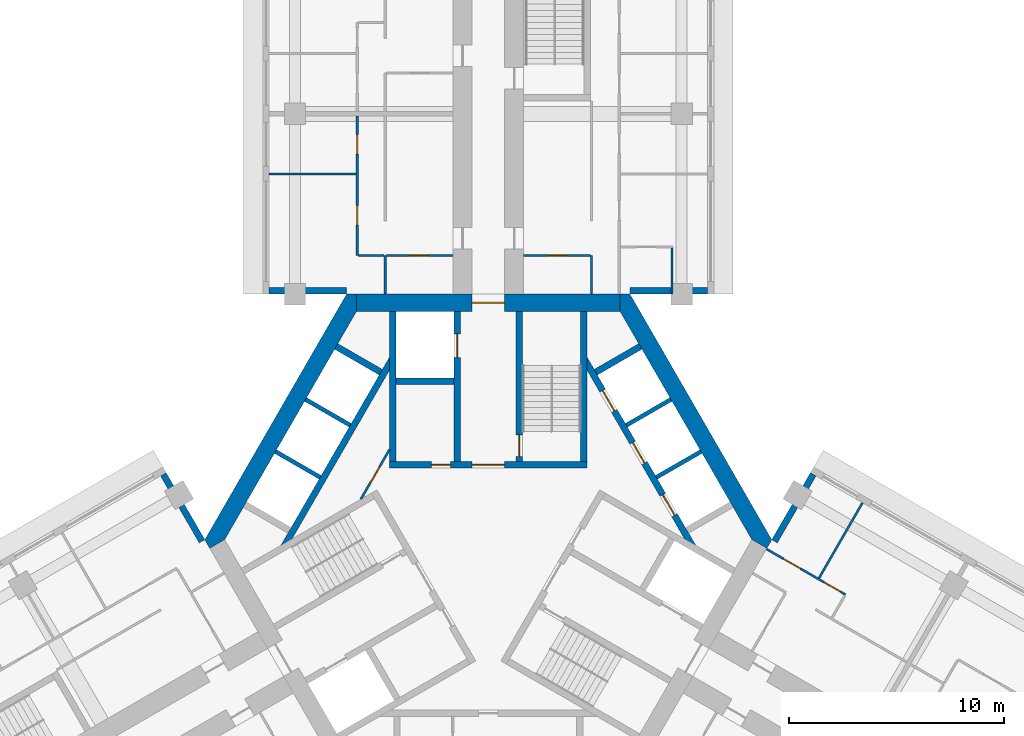
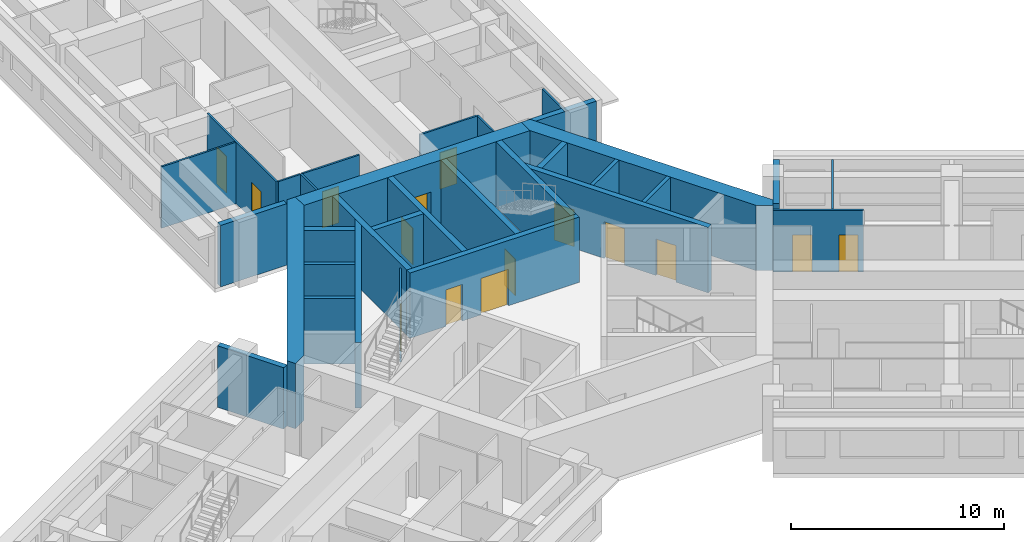
# One storey, part 8 of 14: 32 walls, 15 doors, 15 openings.
"""IFC4 building model written with IfcOpenShell, lengths in metres."""

from ifc_helpers import new_model, si_unit, direction, frame, frame_2d, origin, place, context, subcontext, project, spatial, polyline, rectangle, outline, extrude, material, layer, layer_set, type_object, element, fill, save


model = new_model("IFC4")

# Units and contexts
model_context = context("Model", 3, precision=1e-05, world=origin(), true_north=direction((0.0, 1.0)))
body_context = subcontext(model_context, "Body", "Model", "MODEL_VIEW")
ifc_project = project(units=[si_unit("LENGTHUNIT", "METRE"), si_unit("AREAUNIT", "SQUARE_METRE"), si_unit("VOLUMEUNIT", "CUBIC_METRE"), si_unit("PLANEANGLEUNIT", "RADIAN"), si_unit("MASSUNIT", "GRAM", prefix="KILO")], contexts=[model_context])

# Site, building, storey
site_placement = place(None, origin())
site = spatial("IfcSite", under=ifc_project, at=site_placement, CompositionType="ELEMENT")
building_placement = place(site_placement, origin())
building = spatial("IfcBuilding", under=site, at=building_placement, Name="Impinga Residences", CompositionType="ELEMENT")
storey_placement = place(building_placement, frame((0.0, 0.0, 124.75)))
storey = spatial("IfcBuildingStorey", under=building, at=storey_placement, Name="L30", CompositionType="ELEMENT", Elevation=124.75)

# Wall, opening, door
ifc_material_1 = material(Name="Concrete blockwork", Category="masonry")
ifc_layer_1 = layer(ifc_material_1, 0.10009765625)
ifc_layer_set_1 = layer_set([ifc_layer_1], Name="CP1 core room partition, blockwork 100")
wall_type_1 = type_object("IfcWallType", Name="CP1 core room partition, blockwork 100", PredefinedType="PARTITIONING", material=ifc_layer_set_1)
wall_1_placement = place(storey_placement, frame((-5.93359375, 1.885986328125, 0.0), z_axis=(0.0, 0.0, 1.0), x_axis=(0.500018294232, 0.866014841347, 0.0)))
wall_1 = element("IfcWall", 1, at=wall_1_placement, inside=storey, type_object=wall_type_1, Name="Core room partition, blockwork L30:CORE:high:FP", PredefinedType="PARTITIONING", context=body_context, shape_type="SweptSolid", body=[
    extrude(rectangle(XDim=2.6669921875, YDim=0.10009765625, at=frame_2d((1.33349609375, 0.0))), origin(), (0.0, 0.0, 1.0), 3.530029296875),
])
opening_1_placement = place(wall_1_placement, frame((0.883544921875, 0.0, 0.0)))
opening_1 = element("IfcOpeningElement", 2, at=opening_1_placement, cuts=wall_1, Name="Opening D6", PredefinedType="OPENING", context=body_context, shape_type="SweptSolid", body=[
    extrude(rectangle(XDim=0.89990234375, YDim=2.10009765625, at=frame_2d((0.449951171875, 1.050048828125))), frame((0.0, 0.06005859375, 0.0), z_axis=(0.0, -1.0, 0.0), x_axis=(1.0, 0.0, 0.0)), (0.0, 0.0, 1.0), 0.1201171875),
])
ifc_material_2 = material(Name="Timber door set", Category="wood")
door_type_1 = type_object("IfcDoorType", Name="D6 riser and store door 900x2100", OperationType="SINGLE_SWING_LEFT", PredefinedType="DOOR", material=ifc_material_2)
door_1_placement = place(opening_1_placement, origin())
door_1 = element("IfcDoor", 3, at=door_1_placement, inside=storey, type_object=door_type_1, Name="Residents' storage lockers door", OperationType="SINGLE_SWING_LEFT", OverallHeight=2.10009765625, OverallWidth=0.89990234375, PredefinedType="DOOR", context=body_context, shape_type="SweptSolid", body=[
    extrude(rectangle(XDim=0.89990234375, YDim=2.10009765625, at=frame_2d((0.449951171875, 1.050048828125))), frame((0.0, 0.02490234375, 0.0), z_axis=(0.0, -1.0, 0.0), x_axis=(1.0, 0.0, 0.0)), (0.0, 0.0, 1.0), 0.050048828125),
])
fill(opening_1, door_1)

# Walls
ifc_material_3 = material(Name="Terracotta rainscreen on blockwork", Category="masonry")
ifc_layer_2 = layer(ifc_material_3, 0.300048828125)
ifc_layer_set_2 = layer_set([ifc_layer_2], Name="EW1 external wall, terracotta rainscreen on blockwork 300")
wall_type_2 = type_object("IfcWallType", Name="EW1 external wall, terracotta rainscreen on blockwork 300", PredefinedType="SOLIDWALL", material=ifc_layer_set_2)
wall_2_placement = place(storey_placement, frame((-15.1298828125, 3.042724609375, 0.0), z_axis=(0.0, 0.0, 1.0), x_axis=(0.500012057535, -0.866018442252, 0.0)))
element("IfcWall", 4, at=wall_2_placement, inside=storey, type_object=wall_type_2, Name="External wall EW1 L30", PredefinedType="SOLIDWALL", context=body_context, shape_type="SweptSolid", body=[
    extrude(rectangle(XDim=3.60009765625, YDim=0.300048828125, at=frame_2d((1.800048828125, 0.0))), origin(), (0.0, 0.0, 1.0), 3.530029296875),
])
for number, where, z_axis, x_axis, name in (
    (5, (-6.60009765625, 11.58154296875, 0.0), (0.0, 0.0, 1.0), (-1.0, 0.0, 0.0), "External wall EW1 L30"),
    (6, (10.199951171875, 11.58154296875, 0.0), (0.0, 0.0, 1.0), (-1.0, 0.0, 0.0), "External wall EW1 L30"),
):
    element("IfcWall", number, at=place(storey_placement, frame(where, z_axis=z_axis, x_axis=x_axis)), inside=storey, type_object=wall_type_2, Name=name, PredefinedType="SOLIDWALL", context=body_context, shape_type="SweptSolid", body=[
        extrude(rectangle(XDim=3.599853515625, YDim=0.300048828125, at=frame_2d((1.7998046875, 0.0))), origin(), (0.0, 0.0, 1.0), 3.530029296875),
    ])
wall_3_placement = place(storey_placement, frame((13.329833984375, -0.074951171875, 0.0), z_axis=(0.0, 0.0, 1.0), x_axis=(0.500012057535, 0.866018442252, 0.0)))
element("IfcWall", 7, at=wall_3_placement, inside=storey, type_object=wall_type_2, Name="External wall EW1 L30", PredefinedType="SOLIDWALL", context=body_context, shape_type="SweptSolid", body=[
    extrude(rectangle(XDim=3.60009765625, YDim=0.300048828125, at=frame_2d((1.800048828125, 0.0))), origin(), (0.0, 0.0, 1.0), 3.530029296875),
])
ifc_material_4 = material(Name="Gypsum board on steel studs", Category="steel")
ifc_layer_3 = layer(ifc_material_4, 0.10009765625)
ifc_layer_set_3 = layer_set([ifc_layer_3], Name="Gypsum board on steel studs")
wall_type_3 = type_object("IfcWallType", Name="IP1 partition 100", PredefinedType="PARTITIONING", material=ifc_layer_set_3)
wall_4_placement = place(storey_placement, frame((-4.800048828125, 11.431640625, 0.0), z_axis=(0.0, 0.0, 1.0), x_axis=(0.0, 1.0, 0.0)))
element("IfcWall", 8, at=wall_4_placement, inside=storey, type_object=wall_type_3, Name="Partition L30-NA1:DIV0", PredefinedType="PARTITIONING", context=body_context, shape_type="SweptSolid", body=[
    extrude(rectangle(XDim=1.7998046875, YDim=0.10009765625, at=frame_2d((0.89990234375, 0.0))), origin(), (0.0, 0.0, 1.0), 3.530029296875),
])

# Wall, openings, doors
wall_5_placement = place(storey_placement, frame((-6.10009765625, 13.2314453125, 0.0), z_axis=(0.0, 0.0, 1.0), x_axis=(0.0, 1.0, 0.0)))
wall_5 = element("IfcWall", 9, at=wall_5_placement, inside=storey, type_object=wall_type_3, Name="Partition L30-NA1:STRIP", PredefinedType="PARTITIONING", context=body_context, shape_type="SweptSolid", body=[
    extrude(rectangle(XDim=6.5, YDim=0.10009765625, at=frame_2d((3.25, 0.0))), origin(), (0.0, 0.0, 1.0), 3.530029296875),
])
opening_2_placement = place(wall_5_placement, frame((1.425048828125, 0.0, 0.0)))
opening_2 = element("IfcOpeningElement", 10, at=opening_2_placement, cuts=wall_5, Name="Opening D2", PredefinedType="OPENING", context=body_context, shape_type="SweptSolid", body=[
    extrude(rectangle(XDim=0.89990234375, YDim=2.10009765625, at=frame_2d((0.449951171875, 1.050048828125))), frame((0.0, 0.06005859375, 0.0), z_axis=(0.0, -1.0, 0.0), x_axis=(1.0, 0.0, 0.0)), (0.0, 0.0, 1.0), 0.1201171875),
])
opening_3_placement = place(wall_5_placement, frame((4.72509765625, 0.0, 0.0)))
opening_3 = element("IfcOpeningElement", 11, at=opening_3_placement, cuts=wall_5, Name="Opening D2", PredefinedType="OPENING", context=body_context, shape_type="SweptSolid", body=[
    extrude(rectangle(XDim=0.89990234375, YDim=2.10009765625, at=frame_2d((0.449951171875, 1.050048828125))), frame((0.0, 0.06005859375, 0.0), z_axis=(0.0, -1.0, 0.0), x_axis=(1.0, 0.0, 0.0)), (0.0, 0.0, 1.0), 0.1201171875),
])
door_type_2 = type_object("IfcDoorType", Name="D2 internal door 900x2100", OperationType="SINGLE_SWING_LEFT", PredefinedType="DOOR", material=ifc_material_2)
door_2_placement = place(opening_2_placement, origin())
door_2 = element("IfcDoor", 12, at=door_2_placement, inside=storey, type_object=door_type_2, Name="Apartment L30-NA1 room door", OperationType="SINGLE_SWING_LEFT", OverallHeight=2.10009765625, OverallWidth=0.89990234375, PredefinedType="DOOR", context=body_context, shape_type="SweptSolid", body=[
    extrude(rectangle(XDim=0.89990234375, YDim=2.10009765625, at=frame_2d((0.449951171875, 1.050048828125))), frame((0.0, 0.02490234375, 0.0), z_axis=(0.0, -1.0, 0.0), x_axis=(1.0, 0.0, 0.0)), (0.0, 0.0, 1.0), 0.050048828125),
])
fill(opening_2, door_2)
door_3_placement = place(opening_3_placement, origin())
door_3 = element("IfcDoor", 13, at=door_3_placement, inside=storey, type_object=door_type_2, Name="Apartment L30-NA1 room door", OperationType="SINGLE_SWING_RIGHT", OverallHeight=2.10009765625, OverallWidth=0.89990234375, PredefinedType="DOOR", context=body_context, shape_type="SweptSolid", body=[
    extrude(rectangle(XDim=0.89990234375, YDim=2.10009765625, at=frame_2d((0.449951171875, 1.050048828125))), frame((0.0, 0.02490234375, 0.0), z_axis=(0.0, -1.0, 0.0), x_axis=(1.0, 0.0, 0.0)), (0.0, 0.0, 1.0), 0.050048828125),
])
fill(opening_3, door_3)

# Wall
wall_6_placement = place(storey_placement, frame((-4.85009765625, 13.2314453125, 0.0), z_axis=(0.0, 0.0, 1.0), x_axis=(-1.0, 0.0, 0.0)))
element("IfcWall", 14, at=wall_6_placement, inside=storey, type_object=wall_type_3, Name="Partition L30-NA1:SE0", PredefinedType="PARTITIONING", context=body_context, shape_type="SweptSolid", body=[
    extrude(rectangle(XDim=1.199951171875, YDim=0.10009765625, at=frame_2d((0.60009765625, 0.0))), origin(), (0.0, 0.0, 1.0), 3.530029296875),
])

# Wall, opening, door
wall_7_placement = place(storey_placement, frame((-1.64990234375, 13.2314453125, 0.0), z_axis=(0.0, 0.0, 1.0), x_axis=(-1.0, 0.0, 0.0)))
wall_7 = element("IfcWall", 15, at=wall_7_placement, inside=storey, type_object=wall_type_3, Name="Partition L30-NA1:IB1", PredefinedType="PARTITIONING", context=body_context, shape_type="SweptSolid", body=[
    extrude(rectangle(XDim=3.10009765625, YDim=0.10009765625, at=frame_2d((1.550048828125, 0.0))), origin(), (0.0, 0.0, 1.0), 3.530029296875),
])
opening_4_placement = place(wall_7_placement, frame((1.10009765625, 0.0, 0.0)))
opening_4 = element("IfcOpeningElement", 16, at=opening_4_placement, cuts=wall_7, Name="Opening D2", PredefinedType="OPENING", context=body_context, shape_type="SweptSolid", body=[
    extrude(rectangle(XDim=0.89990234375, YDim=2.10009765625, at=frame_2d((0.449951171875, 1.050048828125))), frame((0.0, 0.06005859375, 0.0), z_axis=(0.0, -1.0, 0.0), x_axis=(1.0, 0.0, 0.0)), (0.0, 0.0, 1.0), 0.1201171875),
])
door_4_placement = place(opening_4_placement, origin())
door_4 = element("IfcDoor", 17, at=door_4_placement, inside=storey, type_object=door_type_2, Name="Apartment L30-NA1 bathroom door", OperationType="SINGLE_SWING_LEFT", OverallHeight=2.10009765625, OverallWidth=0.89990234375, PredefinedType="DOOR", context=body_context, shape_type="SweptSolid", body=[
    extrude(rectangle(XDim=0.89990234375, YDim=2.10009765625, at=frame_2d((0.449951171875, 1.050048828125))), frame((0.0, 0.02490234375, 0.0), z_axis=(0.0, -1.0, 0.0), x_axis=(1.0, 0.0, 0.0)), (0.0, 0.0, 1.0), 0.050048828125),
])
fill(opening_4, door_4)

# Walls
wall_8_placement = place(storey_placement, frame((-6.14990234375, 17.031494140625, 0.0), z_axis=(0.0, 0.0, 1.0), x_axis=(-1.0, 0.0, 0.0)))
element("IfcWall", 18, at=wall_8_placement, inside=storey, type_object=wall_type_3, Name="Partition L30-NA1:OB1", PredefinedType="PARTITIONING", context=body_context, shape_type="SweptSolid", body=[
    extrude(rectangle(XDim=4.050048828125, YDim=0.10009765625, at=frame_2d((2.02490234375, 0.0))), origin(), (0.0, 0.0, 1.0), 3.530029296875),
])
wall_9_placement = place(storey_placement, frame((4.800048828125, 11.431640625, 0.0), z_axis=(0.0, 0.0, 1.0), x_axis=(0.0, 1.0, 0.0)))
element("IfcWall", 19, at=wall_9_placement, inside=storey, type_object=wall_type_3, Name="Partition L30-NF1:DIV0", PredefinedType="PARTITIONING", context=body_context, shape_type="SweptSolid", body=[
    extrude(rectangle(XDim=1.7998046875, YDim=0.10009765625, at=frame_2d((0.89990234375, 0.0))), origin(), (0.0, 0.0, 1.0), 3.530029296875),
])

# Wall, opening, door
wall_10_placement = place(storey_placement, frame((1.64990234375, 13.2314453125, 0.0), z_axis=(0.0, 0.0, 1.0), x_axis=(1.0, 0.0, 0.0)))
wall_10 = element("IfcWall", 20, at=wall_10_placement, inside=storey, type_object=wall_type_3, Name="Partition L30-NF1:IB1", PredefinedType="PARTITIONING", context=body_context, shape_type="SweptSolid", body=[
    extrude(rectangle(XDim=3.10009765625, YDim=0.10009765625, at=frame_2d((1.550048828125, 0.0))), origin(), (0.0, 0.0, 1.0), 3.530029296875),
])
opening_5_placement = place(wall_10_placement, frame((1.10009765625, 0.0, 0.0)))
opening_5 = element("IfcOpeningElement", 21, at=opening_5_placement, cuts=wall_10, Name="Opening D2", PredefinedType="OPENING", context=body_context, shape_type="SweptSolid", body=[
    extrude(rectangle(XDim=0.89990234375, YDim=2.10009765625, at=frame_2d((0.449951171875, 1.050048828125))), frame((0.0, 0.06005859375, 0.0), z_axis=(0.0, -1.0, 0.0), x_axis=(1.0, 0.0, 0.0)), (0.0, 0.0, 1.0), 0.1201171875),
])
door_5_placement = place(opening_5_placement, origin())
door_5 = element("IfcDoor", 22, at=door_5_placement, inside=storey, type_object=door_type_2, Name="Apartment L30-NF1 bathroom door", OperationType="SINGLE_SWING_LEFT", OverallHeight=2.10009765625, OverallWidth=0.89990234375, PredefinedType="DOOR", context=body_context, shape_type="SweptSolid", body=[
    extrude(rectangle(XDim=0.89990234375, YDim=2.10009765625, at=frame_2d((0.449951171875, 1.050048828125))), frame((0.0, 0.02490234375, 0.0), z_axis=(0.0, -1.0, 0.0), x_axis=(1.0, 0.0, 0.0)), (0.0, 0.0, 1.0), 0.050048828125),
])
fill(opening_5, door_5)

# Wall
wall_11_placement = place(storey_placement, frame((8.550048828125, 11.431640625, 0.0), z_axis=(0.0, 0.0, 1.0), x_axis=(0.0, 1.0, 0.0)))
element("IfcWall", 23, at=wall_11_placement, inside=storey, type_object=wall_type_3, Name="Partition L30-NF1:EN2", PredefinedType="PARTITIONING", context=body_context, shape_type="SweptSolid", body=[
    extrude(rectangle(XDim=2.14990234375, YDim=0.10009765625, at=frame_2d((1.074951171875, 0.0))), origin(), (0.0, 0.0, 1.0), 3.530029296875),
])

# Wall, openings, doors
wall_12_placement = place(storey_placement, frame((12.949951171875, -0.43310546875, 0.0), z_axis=(0.0, 0.0, 1.0), x_axis=(0.866028703517, -0.499994284652, 0.0)))
wall_12 = element("IfcWall", 24, at=wall_12_placement, inside=storey, type_object=wall_type_3, Name="Partition L30-EA1:STRIP", PredefinedType="PARTITIONING", context=body_context, shape_type="SweptSolid", body=[
    extrude(rectangle(XDim=4.25, YDim=0.10009765625, at=frame_2d((2.125, 0.0))), origin(), (0.0, 0.0, 1.0), 3.530029296875),
])
opening_6_placement = place(wall_12_placement, frame((0.925048828125, 0.0, 0.0)))
opening_6 = element("IfcOpeningElement", 25, at=opening_6_placement, cuts=wall_12, Name="Opening D2", PredefinedType="OPENING", context=body_context, shape_type="SweptSolid", body=[
    extrude(rectangle(XDim=0.89990234375, YDim=2.10009765625, at=frame_2d((0.449951171875, 1.050048828125))), frame((0.0, 0.06005859375, 0.0), z_axis=(0.0, -1.0, 0.0), x_axis=(1.0, 0.0, 0.0)), (0.0, 0.0, 1.0), 0.1201171875),
])
opening_7_placement = place(wall_12_placement, frame((3.10009765625, 0.0, 0.0)))
opening_7 = element("IfcOpeningElement", 26, at=opening_7_placement, cuts=wall_12, Name="Opening D2", PredefinedType="OPENING", context=body_context, shape_type="SweptSolid", body=[
    extrude(rectangle(XDim=0.89990234375, YDim=2.10009765625, at=frame_2d((0.449951171875, 1.050048828125))), frame((0.0, 0.06005859375, 0.0), z_axis=(0.0, -1.0, 0.0), x_axis=(1.0, 0.0, 0.0)), (0.0, 0.0, 1.0), 0.1201171875),
])
door_6_placement = place(opening_6_placement, origin())
door_6 = element("IfcDoor", 27, at=door_6_placement, inside=storey, type_object=door_type_2, Name="Apartment L30-EA1 room door", OperationType="SINGLE_SWING_LEFT", OverallHeight=2.10009765625, OverallWidth=0.89990234375, PredefinedType="DOOR", context=body_context, shape_type="SweptSolid", body=[
    extrude(rectangle(XDim=0.89990234375, YDim=2.10009765625, at=frame_2d((0.449951171875, 1.050048828125))), frame((0.0, 0.02490234375, 0.0), z_axis=(0.0, -1.0, 0.0), x_axis=(1.0, 0.0, 0.0)), (0.0, 0.0, 1.0), 0.050048828125),
])
fill(opening_6, door_6)
door_7_placement = place(opening_7_placement, origin())
door_7 = element("IfcDoor", 28, at=door_7_placement, inside=storey, type_object=door_type_2, Name="Apartment L30-EA1 room door", OperationType="SINGLE_SWING_RIGHT", OverallHeight=2.10009765625, OverallWidth=0.89990234375, PredefinedType="DOOR", context=body_context, shape_type="SweptSolid", body=[
    extrude(rectangle(XDim=0.89990234375, YDim=2.10009765625, at=frame_2d((0.449951171875, 1.050048828125))), frame((0.0, 0.02490234375, 0.0), z_axis=(0.0, -1.0, 0.0), x_axis=(1.0, 0.0, 0.0)), (0.0, 0.0, 1.0), 0.050048828125),
])
fill(opening_7, door_7)

# Wall
wall_13_placement = place(storey_placement, frame((15.39990234375, -1.789794921875, 0.0), z_axis=(0.0, 0.0, 1.0), x_axis=(0.499964223975, 0.866046058097, 0.0)))
element("IfcWall", 29, at=wall_13_placement, inside=storey, type_object=wall_type_3, Name="Partition L30-EA1:OB1", PredefinedType="PARTITIONING", context=body_context, shape_type="SweptSolid", body=[
    extrude(rectangle(XDim=4.050048828125, YDim=0.10009765625, at=frame_2d((2.02490234375, 0.0))), origin(), (0.0, 0.0, 1.0), 3.530029296875),
])

# Wall, opening, door
ifc_material_5 = material(Name="Concrete C60/75", Category="concrete")
ifc_layer_4 = layer(ifc_material_5, 0.800048828125)
ifc_layer_set_4 = layer_set([ifc_layer_4], Name="Concrete C60/75")
wall_type_4 = type_object("IfcWallType", Name="SW2 core wall 800", PredefinedType="SHEAR", material=ifc_layer_set_4)
wall_14_placement = place(storey_placement, frame((-6.13818359375, 11.031494140625, 0.0), z_axis=(0.0, 0.0, 1.0), x_axis=(1.0, 0.0, 0.0)))
wall_14 = element("IfcWall", 30, at=wall_14_placement, inside=storey, type_object=wall_type_4, Name="Core wall SW2 N:FACE L30", PredefinedType="SHEAR", context=body_context, shape_type="SweptSolid", body=[
    extrude(rectangle(XDim=12.2763671875, YDim=0.800048828125, at=frame_2d((6.13818359375, 0.0))), origin(), (0.0, 0.0, 1.0), 3.75),
])
opening_8_placement = place(wall_14_placement, frame((5.38818359375, 0.0, 0.0)))
opening_8 = element("IfcOpeningElement", 31, at=opening_8_placement, cuts=wall_14, Name="Opening D4", PredefinedType="OPENING", context=body_context, shape_type="SweptSolid", body=[
    extrude(rectangle(XDim=1.5, YDim=2.10009765625, at=frame_2d((0.75, 1.050048828125))), frame((0.0, 0.409912109375, 0.0), z_axis=(0.0, -1.0, 0.0), x_axis=(1.0, 0.0, 0.0)), (0.0, 0.0, 1.0), 0.820068359375),
])
door_type_3 = type_object("IfcDoorType", Name="D4 lobby door pair 1500x2100", OperationType="DOUBLE_DOOR_DOUBLE_SWING", PredefinedType="DOOR", material=ifc_material_2)
door_8_placement = place(opening_8_placement, origin())
door_8 = element("IfcDoor", 32, at=door_8_placement, inside=storey, type_object=door_type_3, Name="Lobby door N", OperationType="DOUBLE_DOOR_DOUBLE_SWING", OverallHeight=2.10009765625, OverallWidth=1.5, PredefinedType="DOOR", context=body_context, shape_type="SweptSolid", body=[
    extrude(rectangle(XDim=1.5, YDim=2.10009765625, at=frame_2d((0.75, 1.050048828125))), frame((0.0, 0.02490234375, 0.0), z_axis=(0.0, -1.0, 0.0), x_axis=(1.0, 0.0, 0.0)), (0.0, 0.0, 1.0), 0.050048828125),
])
fill(opening_8, door_8)

# Walls
wall_15_placement = place(storey_placement, origin())
element("IfcWall", 33, at=wall_15_placement, inside=storey, type_object=wall_type_4, Name="Core wall SW2 W:EXPOSED L30", PredefinedType="SHEAR", context=body_context, shape_type="SweptSolid", body=[
    extrude(outline(polyline([(13.199951171875, 0.0), (6.60009765625, 11.431640625), (6.13818359375, 11.431640625), (6.13818359375, 10.631591796875), (12.276123046875, 0.0), (12.968994140625, -0.39990234375), (13.199951171875, 0.0)])), origin(), (0.0, 0.0, 1.0), 3.75),
])
wall_16_placement = place(storey_placement, origin())
element("IfcWall", 34, at=wall_16_placement, inside=storey, type_object=wall_type_4, Name="Core wall SW2 E:EXPOSED L30", PredefinedType="SHEAR", context=body_context, shape_type="SweptSolid", body=[
    extrude(outline(polyline([(-6.60009765625, 11.431640625), (-13.199951171875, 0.0), (-12.968994140625, -0.39990234375), (-12.276123046875, 0.0), (-6.13818359375, 10.631591796875), (-6.13818359375, 11.431640625), (-6.60009765625, 11.431640625)])), origin(), (0.0, 0.0, 1.0), 3.75),
])

# Wall, openings, doors
ifc_material_6 = material(Name="Concrete C70/85", Category="concrete")
ifc_layer_5 = layer(ifc_material_6, 0.300048828125)
ifc_layer_set_5 = layer_set([ifc_layer_5], Name="Concrete C70/85")
wall_type_5 = type_object("IfcWallType", Name="SW5 core inner wall, stairs, shafts and lobbies 300", PredefinedType="SHEAR", material=ifc_layer_set_5)
wall_17_placement = place(storey_placement, frame((-4.60009765625, 3.47998046875, 0.0), z_axis=(0.0, 0.0, 1.0), x_axis=(1.0, 0.0, 0.0)))
wall_17 = element("IfcWall", 35, at=wall_17_placement, inside=storey, type_object=wall_type_5, Name="Core wall SW5 N:ZONE L30", PredefinedType="SHEAR", context=body_context, shape_type="SweptSolid", body=[
    extrude(rectangle(XDim=9.2001953125, YDim=0.300048828125, at=frame_2d((4.60009765625, 0.0))), origin(), (0.0, 0.0, 1.0), 3.75),
])
opening_9_placement = place(wall_17_placement, frame((3.85009765625, 0.0, 0.0)))
opening_9 = element("IfcOpeningElement", 36, at=opening_9_placement, cuts=wall_17, Name="Opening D4", PredefinedType="OPENING", context=body_context, shape_type="SweptSolid", body=[
    extrude(rectangle(XDim=1.5, YDim=2.10009765625, at=frame_2d((0.75, 1.050048828125))), frame((0.0, 0.159912109375, 0.0), z_axis=(0.0, -1.0, 0.0), x_axis=(1.0, 0.0, 0.0)), (0.0, 0.0, 1.0), 0.320068359375),
])
opening_10_placement = place(wall_17_placement, frame((1.949951171875, 0.0, 0.0)))
opening_10 = element("IfcOpeningElement", 37, at=opening_10_placement, cuts=wall_17, Name="Opening D6", PredefinedType="OPENING", context=body_context, shape_type="SweptSolid", body=[
    extrude(rectangle(XDim=0.89990234375, YDim=2.10009765625, at=frame_2d((0.449951171875, 1.050048828125))), frame((0.0, 0.159912109375, 0.0), z_axis=(0.0, -1.0, 0.0), x_axis=(1.0, 0.0, 0.0)), (0.0, 0.0, 1.0), 0.320068359375),
])
door_9_placement = place(opening_9_placement, origin())
door_9 = element("IfcDoor", 38, at=door_9_placement, inside=storey, type_object=door_type_3, Name="Firefighting lobby door N", OperationType="DOUBLE_DOOR_DOUBLE_SWING", OverallHeight=2.10009765625, OverallWidth=1.5, PredefinedType="DOOR", context=body_context, shape_type="SweptSolid", body=[
    extrude(rectangle(XDim=1.5, YDim=2.10009765625, at=frame_2d((0.75, 1.050048828125))), frame((0.0, 0.02490234375, 0.0), z_axis=(0.0, -1.0, 0.0), x_axis=(1.0, 0.0, 0.0)), (0.0, 0.0, 1.0), 0.050048828125),
])
fill(opening_9, door_9)
door_10_placement = place(opening_10_placement, origin())
door_10 = element("IfcDoor", 39, at=door_10_placement, inside=storey, type_object=door_type_1, Name="Riser door N", OperationType="SINGLE_SWING_LEFT", OverallHeight=2.10009765625, OverallWidth=0.89990234375, PredefinedType="DOOR", context=body_context, shape_type="SweptSolid", body=[
    extrude(rectangle(XDim=0.89990234375, YDim=2.10009765625, at=frame_2d((0.449951171875, 1.050048828125))), frame((0.0, 0.02490234375, 0.0), z_axis=(0.0, -1.0, 0.0), x_axis=(1.0, 0.0, 0.0)), (0.0, 0.0, 1.0), 0.050048828125),
])
fill(opening_10, door_10)

# Wall, opening, door
wall_18_placement = place(storey_placement, frame((1.449951171875, 3.6298828125, 0.0), z_axis=(0.0, 0.0, 1.0), x_axis=(0.0, 1.0, 0.0)))
wall_18 = element("IfcWall", 40, at=wall_18_placement, inside=storey, type_object=wall_type_5, Name="Core wall SW5 N:ST-IN L30", PredefinedType="SHEAR", context=body_context, shape_type="SweptSolid", body=[
    extrude(rectangle(XDim=7.001708984375, YDim=0.300048828125, at=frame_2d((3.5009765625, 0.0))), origin(), (0.0, 0.0, 1.0), 3.75),
])
opening_11_placement = place(wall_18_placement, frame((0.25, 0.0, 0.0)))
opening_11 = element("IfcOpeningElement", 41, at=opening_11_placement, cuts=wall_18, Name="Opening D5", PredefinedType="OPENING", context=body_context, shape_type="SweptSolid", body=[
    extrude(rectangle(XDim=1.0, YDim=2.10009765625, at=frame_2d((0.5, 1.050048828125))), frame((0.0, 0.159912109375, 0.0), z_axis=(0.0, -1.0, 0.0), x_axis=(1.0, 0.0, 0.0)), (0.0, 0.0, 1.0), 0.320068359375),
])
door_type_4 = type_object("IfcDoorType", Name="D5 stair door 1000x2100", OperationType="SINGLE_SWING_LEFT", PredefinedType="DOOR", material=ifc_material_2)
door_11_placement = place(opening_11_placement, origin())
door_11 = element("IfcDoor", 42, at=door_11_placement, inside=storey, type_object=door_type_4, Name="Stair door N", OperationType="SINGLE_SWING_LEFT", OverallHeight=2.10009765625, OverallWidth=1.0, PredefinedType="DOOR", context=body_context, shape_type="SweptSolid", body=[
    extrude(rectangle(XDim=1.0, YDim=2.10009765625, at=frame_2d((0.5, 1.050048828125))), frame((0.0, 0.02490234375, 0.0), z_axis=(0.0, -1.0, 0.0), x_axis=(1.0, 0.0, 0.0)), (0.0, 0.0, 1.0), 0.050048828125),
])
fill(opening_11, door_11)

# Wall
wall_19_placement = place(storey_placement, frame((4.449951171875, 3.6298828125, 0.0), z_axis=(0.0, 0.0, 1.0), x_axis=(0.0, 1.0, 0.0)))
element("IfcWall", 43, at=wall_19_placement, inside=storey, type_object=wall_type_5, Name="Core wall SW5 N:ST-OUT L30", PredefinedType="SHEAR", context=body_context, shape_type="SweptSolid", body=[
    extrude(rectangle(XDim=7.001708984375, YDim=0.300048828125, at=frame_2d((3.5009765625, 0.0))), origin(), (0.0, 0.0, 1.0), 3.75),
])

# Wall, opening, door
wall_20_placement = place(storey_placement, frame((-1.449951171875, 3.6298828125, 0.0), z_axis=(0.0, 0.0, 1.0), x_axis=(0.0, 1.0, 0.0)))
wall_20 = element("IfcWall", 44, at=wall_20_placement, inside=storey, type_object=wall_type_5, Name="Core wall SW5 N:FF-IN L30", PredefinedType="SHEAR", context=body_context, shape_type="SweptSolid", body=[
    extrude(rectangle(XDim=7.001708984375, YDim=0.300048828125, at=frame_2d((3.5009765625, 0.0))), origin(), (0.0, 0.0, 1.0), 3.75),
])
opening_12_placement = place(wall_20_placement, frame((4.85009765625, 0.0, 0.0)))
opening_12 = element("IfcOpeningElement", 45, at=opening_12_placement, cuts=wall_20, Name="Opening LD2", PredefinedType="OPENING", context=body_context, shape_type="SweptSolid", body=[
    extrude(rectangle(XDim=1.10009765625, YDim=2.10009765625, at=frame_2d((0.550048828125, 1.050048828125))), frame((0.0, 0.159912109375, 0.0), z_axis=(0.0, -1.0, 0.0), x_axis=(1.0, 0.0, 0.0)), (0.0, 0.0, 1.0), 0.320068359375),
])
ifc_material_7 = material(Name="Steel lift landing door", Category="steel")
door_type_5 = type_object("IfcDoorType", Name="LD2 firefighting lift landing door 1100x2100", OperationType="DOUBLE_DOOR_SLIDING", PredefinedType="DOOR", material=ifc_material_7)
door_12_placement = place(opening_12_placement, origin())
door_12 = element("IfcDoor", 46, at=door_12_placement, inside=storey, type_object=door_type_5, Name="Firefighting lift landing door F1", OperationType="DOUBLE_DOOR_SLIDING", OverallHeight=2.10009765625, OverallWidth=1.10009765625, PredefinedType="DOOR", context=body_context, shape_type="SweptSolid", body=[
    extrude(rectangle(XDim=1.10009765625, YDim=2.10009765625, at=frame_2d((0.550048828125, 1.050048828125))), frame((0.0, 0.02490234375, 0.0), z_axis=(0.0, -1.0, 0.0), x_axis=(1.0, 0.0, 0.0)), (0.0, 0.0, 1.0), 0.050048828125),
])
fill(opening_12, door_12)

# Walls
wall_21_placement = place(storey_placement, frame((-4.449951171875, 3.6298828125, 0.0), z_axis=(0.0, 0.0, 1.0), x_axis=(0.0, 1.0, 0.0)))
element("IfcWall", 47, at=wall_21_placement, inside=storey, type_object=wall_type_5, Name="Core wall SW5 N:FF-OUT L30", PredefinedType="SHEAR", context=body_context, shape_type="SweptSolid", body=[
    extrude(rectangle(XDim=7.001708984375, YDim=0.300048828125, at=frame_2d((3.5009765625, 0.0))), origin(), (0.0, 0.0, 1.0), 3.75),
])
wall_22_placement = place(storey_placement, frame((-4.300048828125, 7.3798828125, 0.0), z_axis=(0.0, 0.0, 1.0), x_axis=(1.0, 0.0, 0.0)))
element("IfcWall", 48, at=wall_22_placement, inside=storey, type_object=wall_type_5, Name="Core wall SW5 N:FF-RS L30", PredefinedType="SHEAR", context=body_context, shape_type="SweptSolid", body=[
    extrude(rectangle(XDim=2.699951171875, YDim=0.300048828125, at=frame_2d((1.35009765625, 0.0))), origin(), (0.0, 0.0, 1.0), 3.75),
])

# Wall, openings, doors
wall_23_placement = place(storey_placement, frame((4.449951171875, 8.455322265625, 0.0), z_axis=(0.0, 0.0, 1.0), x_axis=(0.500002290144, -0.866024081565, 0.0)))
wall_23 = element("IfcWall", 49, at=wall_23_placement, inside=storey, type_object=wall_type_5, Name="Core wall SW5 W:BANK-FRONT L30", PredefinedType="SHEAR", context=body_context, shape_type="SweptSolid", body=[
    extrude(rectangle(XDim=10.1953125, YDim=0.300048828125, at=frame_2d((5.09765625, 0.0))), origin(), (0.0, 0.0, 1.0), 3.75),
])
opening_13_placement = place(wall_23_placement, frame((1.74755859375, 0.0, 0.0)))
opening_13 = element("IfcOpeningElement", 50, at=opening_13_placement, cuts=wall_23, Name="Opening LD1", PredefinedType="OPENING", context=body_context, shape_type="SweptSolid", body=[
    extrude(rectangle(XDim=1.10009765625, YDim=2.10009765625, at=frame_2d((0.550048828125, 1.050048828125))), frame((0.0, 0.159912109375, 0.0), z_axis=(0.0, -1.0, 0.0), x_axis=(1.0, 0.0, 0.0)), (0.0, 0.0, 1.0), 0.320068359375),
])
opening_14_placement = place(wall_23_placement, frame((4.547607421875, 0.0, 0.0)))
opening_14 = element("IfcOpeningElement", 51, at=opening_14_placement, cuts=wall_23, Name="Opening LD1", PredefinedType="OPENING", context=body_context, shape_type="SweptSolid", body=[
    extrude(rectangle(XDim=1.10009765625, YDim=2.10009765625, at=frame_2d((0.550048828125, 1.050048828125))), frame((0.0, 0.159912109375, 0.0), z_axis=(0.0, -1.0, 0.0), x_axis=(1.0, 0.0, 0.0)), (0.0, 0.0, 1.0), 0.320068359375),
])
opening_15_placement = place(wall_23_placement, frame((7.34765625, 0.0, 0.0)))
opening_15 = element("IfcOpeningElement", 52, at=opening_15_placement, cuts=wall_23, Name="Opening LD1", PredefinedType="OPENING", context=body_context, shape_type="SweptSolid", body=[
    extrude(rectangle(XDim=1.10009765625, YDim=2.10009765625, at=frame_2d((0.550048828125, 1.050048828125))), frame((0.0, 0.159912109375, 0.0), z_axis=(0.0, -1.0, 0.0), x_axis=(1.0, 0.0, 0.0)), (0.0, 0.0, 1.0), 0.320068359375),
])
door_type_6 = type_object("IfcDoorType", Name="LD1 passenger lift landing door 1100x2100", OperationType="DOUBLE_DOOR_SLIDING", PredefinedType="DOOR", material=ifc_material_7)
door_13_placement = place(opening_13_placement, origin())
door_13 = element("IfcDoor", 53, at=door_13_placement, inside=storey, type_object=door_type_6, Name="Lift landing door P4", OperationType="DOUBLE_DOOR_SLIDING", OverallHeight=2.10009765625, OverallWidth=1.10009765625, PredefinedType="DOOR", context=body_context, shape_type="SweptSolid", body=[
    extrude(rectangle(XDim=1.10009765625, YDim=2.10009765625, at=frame_2d((0.550048828125, 1.050048828125))), frame((0.0, 0.02490234375, 0.0), z_axis=(0.0, -1.0, 0.0), x_axis=(1.0, 0.0, 0.0)), (0.0, 0.0, 1.0), 0.050048828125),
])
fill(opening_13, door_13)
door_14_placement = place(opening_14_placement, origin())
door_14 = element("IfcDoor", 54, at=door_14_placement, inside=storey, type_object=door_type_6, Name="Lift landing door P5", OperationType="DOUBLE_DOOR_SLIDING", OverallHeight=2.10009765625, OverallWidth=1.10009765625, PredefinedType="DOOR", context=body_context, shape_type="SweptSolid", body=[
    extrude(rectangle(XDim=1.10009765625, YDim=2.10009765625, at=frame_2d((0.550048828125, 1.050048828125))), frame((0.0, 0.02490234375, 0.0), z_axis=(0.0, -1.0, 0.0), x_axis=(1.0, 0.0, 0.0)), (0.0, 0.0, 1.0), 0.050048828125),
])
fill(opening_14, door_14)
door_15_placement = place(opening_15_placement, origin())
door_15 = element("IfcDoor", 55, at=door_15_placement, inside=storey, type_object=door_type_6, Name="Lift landing door P6", OperationType="DOUBLE_DOOR_SLIDING", OverallHeight=2.10009765625, OverallWidth=1.10009765625, PredefinedType="DOOR", context=body_context, shape_type="SweptSolid", body=[
    extrude(rectangle(XDim=1.10009765625, YDim=2.10009765625, at=frame_2d((0.550048828125, 1.050048828125))), frame((0.0, 0.02490234375, 0.0), z_axis=(0.0, -1.0, 0.0), x_axis=(1.0, 0.0, 0.0)), (0.0, 0.0, 1.0), 0.050048828125),
])
fill(opening_15, door_15)

# Walls
wall_24_placement = place(storey_placement, frame((5.003662109375, 7.79638671875, 0.0), z_axis=(0.0, 0.0, 1.0), x_axis=(0.866050077142, 0.499957262057, 0.0)))
element("IfcWall", 56, at=wall_24_placement, inside=storey, type_object=wall_type_5, Name="Core wall SW5 W:BANK-L L30", PredefinedType="SHEAR", context=body_context, shape_type="SweptSolid", body=[
    extrude(rectangle(XDim=2.400146484375, YDim=0.300048828125, at=frame_2d((1.2001953125, 0.0))), origin(), (0.0, 0.0, 1.0), 3.75),
])
wall_25_placement = place(storey_placement, frame((-9.547607421875, -0.3740234375, 0.0), z_axis=(0.0, 0.0, 1.0), x_axis=(0.500002290144, 0.866024081565, 0.0)))
element("IfcWall", 57, at=wall_25_placement, inside=storey, type_object=wall_type_5, Name="Core wall SW5 E:BANK-FRONT L30", PredefinedType="SHEAR", context=body_context, shape_type="SweptSolid", body=[
    extrude(rectangle(XDim=10.1953125, YDim=0.300048828125, at=frame_2d((5.09765625, 0.0))), origin(), (0.0, 0.0, 1.0), 3.75),
])
wall_26_placement = place(storey_placement, frame((-5.003662109375, 7.79638671875, 0.0), z_axis=(0.0, 0.0, 1.0), x_axis=(-0.866050077142, 0.499957262057, 0.0)))
element("IfcWall", 58, at=wall_26_placement, inside=storey, type_object=wall_type_5, Name="Core wall SW5 E:BANK-R L30", PredefinedType="SHEAR", context=body_context, shape_type="SweptSolid", body=[
    extrude(rectangle(XDim=2.400146484375, YDim=0.300048828125, at=frame_2d((1.2001953125, 0.0))), origin(), (0.0, 0.0, 1.0), 3.75),
])
ifc_layer_6 = layer(ifc_material_6, 0.199951171875)
ifc_layer_set_6 = layer_set([ifc_layer_6], Name="Concrete C70/85")
wall_type_6 = type_object("IfcWallType", Name="SW6 lift shaft divider wall 200", PredefinedType="SHEAR", material=ifc_layer_set_6)
wall_27_placement = place(storey_placement, frame((6.4287109375, 5.328125, 0.0), z_axis=(0.0, 0.0, 1.0), x_axis=(0.865980596518, 0.500077600433, 0.0)))
element("IfcWall", 59, at=wall_27_placement, inside=storey, type_object=wall_type_6, Name="Core wall SW6 W:BANK-D1 L30", PredefinedType="SHEAR", context=body_context, shape_type="SweptSolid", body=[
    extrude(rectangle(XDim=2.39990234375, YDim=0.199951171875, at=frame_2d((1.199951171875, 0.0))), origin(), (0.0, 0.0, 1.0), 3.75),
])
for number, where, z_axis, x_axis, name in (
    (60, (7.82861328125, 2.9033203125, 0.0), (0.0, 0.0, 1.0), (0.866050077142, 0.499957262057, 0.0), "Core wall SW6 W:BANK-D2 L30"),
    (61, (-7.82861328125, 2.9033203125, 0.0), (0.0, 0.0, 1.0), (-0.866050077142, 0.499957262057, 0.0), "Core wall SW6 E:BANK-D1 L30"),
):
    element("IfcWall", number, at=place(storey_placement, frame(where, z_axis=z_axis, x_axis=x_axis)), inside=storey, type_object=wall_type_6, Name=name, PredefinedType="SHEAR", context=body_context, shape_type="SweptSolid", body=[
        extrude(rectangle(XDim=2.400146484375, YDim=0.199951171875, at=frame_2d((1.2001953125, 0.0))), origin(), (0.0, 0.0, 1.0), 3.75),
    ])
wall_28_placement = place(storey_placement, frame((-6.4287109375, 5.328125, 0.0), z_axis=(0.0, 0.0, 1.0), x_axis=(-0.865980596518, 0.500077600433, 0.0)))
element("IfcWall", 62, at=wall_28_placement, inside=storey, type_object=wall_type_6, Name="Core wall SW6 E:BANK-D2 L30", PredefinedType="SHEAR", context=body_context, shape_type="SweptSolid", body=[
    extrude(rectangle(XDim=2.39990234375, YDim=0.199951171875, at=frame_2d((1.199951171875, 0.0))), origin(), (0.0, 0.0, 1.0), 3.75),
])

save(model, "model.ifc")
